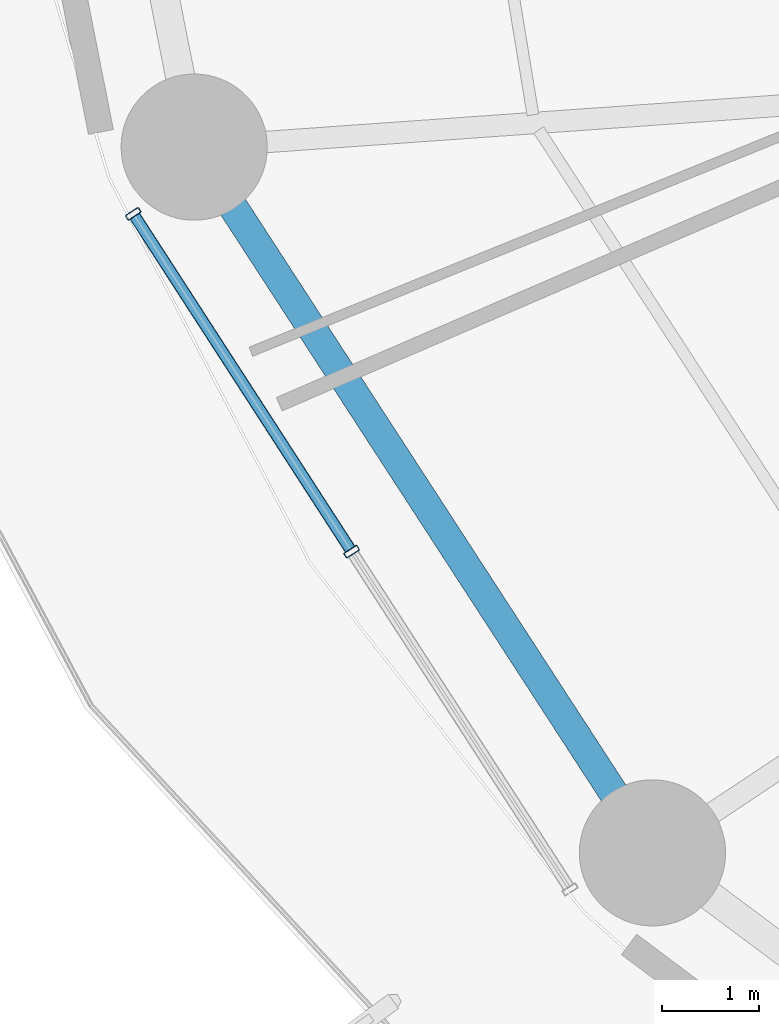
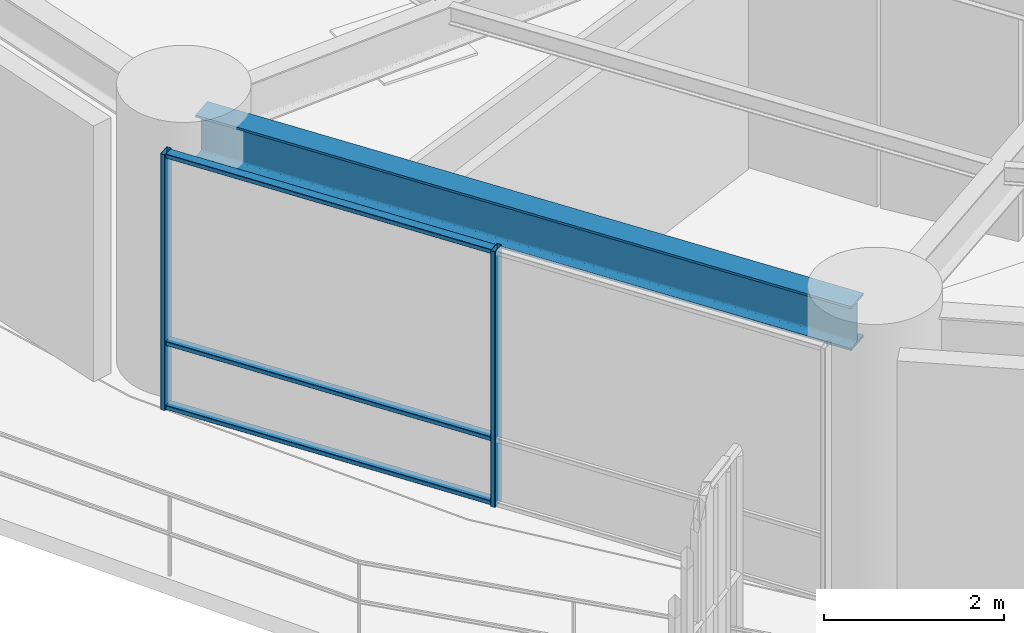
# One storey, part 2 of 35: 5 members, 1 beam, 1 element without a shape of its own.
"""IFC4 building model written with IfcOpenShell, lengths in metres."""

from ifc_helpers import new_model, si_unit, direction, frame, origin, origin_2d, place, context, subcontext, project, spatial, hollow_rectangle, i_section, extrude, material, layer, layer_set, material_profile, profile_set, type_object, element, aggregate, save


model = new_model("IFC4")

# Units and contexts
model_context = context("Model", 3, precision=1e-05, world=origin(), true_north=direction((0.0, 1.0)))
body_context = subcontext(model_context, "Body", "Model", "MODEL_VIEW")
ifc_project = project(units=[si_unit("LENGTHUNIT", "METRE"), si_unit("AREAUNIT", "SQUARE_METRE"), si_unit("VOLUMEUNIT", "CUBIC_METRE"), si_unit("PLANEANGLEUNIT", "RADIAN"), si_unit("MASSUNIT", "GRAM", prefix="KILO")], contexts=[model_context])

# Site, building, storey
site_placement = place(None, origin())
site = spatial("IfcSite", under=ifc_project, at=site_placement, CompositionType="ELEMENT")
building_placement = place(site_placement, origin())
building = spatial("IfcBuilding", under=site, at=building_placement, Name="Kelanora Arch Commons", CompositionType="ELEMENT")
storey_placement = place(building_placement, frame((0.0, 0.0, 22.5)))
storey = spatial("IfcBuildingStorey", under=building, at=storey_placement, Name="L05", CompositionType="ELEMENT", Elevation=22.5)

# Beam
ifc_material_1 = material(Name="Steel S355", Category="steel")
ifc_material_profile_1 = material_profile(ifc_material_1, i_section(OverallWidth=0.300048828125, OverallDepth=0.60009765625, WebThickness=0.015380859375, FlangeThickness=0.030029296875, FilletRadius=0.027099609375, at=origin_2d()), Name="HEB600")
ifc_profile_set_1 = profile_set([ifc_material_profile_1], Name="Steel S355")
beam_type = type_object("IfcBeamType", Name="BM-SPN-Z1", PredefinedType="SPANDREL", material=ifc_profile_set_1)
beam_placement = place(storey_placement, frame((48.6728515625, 49.57958984375, 3.18994140625), z_axis=(0.544580949539, -0.838708286235, 0.0), x_axis=(0.838708286235, 0.544580949539, 0.0)))
element("IfcBeam", 1, at=beam_placement, inside=storey, type_object=beam_type, Name="Perimeter Spandrel Beam BS-20 L05", PredefinedType="SPANDREL", context=body_context, shape_type="SweptSolid", body=[
    extrude(i_section(OverallWidth=0.300048828125, OverallDepth=0.60009765625, WebThickness=0.015380859375, FlangeThickness=0.030029296875, FilletRadius=0.027099609375, at=origin_2d()), origin(), (0.0, 0.0, 1.0), 8.195068359375),
])

# Curtain wall, members
ifc_material_2 = material(Name="Terracotta ceramic-fritted low-E glass and aluminium", Category="masonry")
ifc_layer = layer(ifc_material_2, 0.159912109375)
ifc_layer_set = layer_set([ifc_layer], Name="Terracotta ceramic-fritted low-E glass and aluminium")
curtain_wall_type = type_object("IfcCurtainWallType", Name="CW-SYS-01", PredefinedType="NOTDEFINED", material=ifc_layer_set)
curtain_wall_placement = place(storey_placement, origin())
curtain_wall = element("IfcCurtainWall", 2, at=curtain_wall_placement, inside=storey, type_object=curtain_wall_type, Name="Unitised Curtain Wall L05-B10", PredefinedType="NOTDEFINED")
ifc_material_3 = material(Name="Powder-coated aluminium terracotta", Category="masonry")
ifc_material_profile_2 = material_profile(ifc_material_3, hollow_rectangle(XDim=0.159912109375, YDim=0.06005859375, WallThickness=0.0048828125, InnerFilletRadius=0.0048828125, OuterFilletRadius=0.010009765625, at=origin_2d()), Name="CWM160x60")
ifc_profile_set_2 = profile_set([ifc_material_profile_2], Name="Powder-coated aluminium terracotta")
member_type_1 = type_object("IfcMemberType", Name="CWM-STD", PredefinedType="MULLION", material=ifc_profile_set_2)
member_1_placement = place(storey_placement, frame((47.927734375, 49.07958984375, 0.0), z_axis=(0.0, 0.0, 1.0), x_axis=(0.83972982332, 0.543004441812, 0.0)))
member_1 = element("IfcMember", 3, at=member_1_placement, type_object=member_type_1, Name="CW-01 mullion 1", PredefinedType="MULLION", context=body_context, shape_type="SweptSolid", body=[
    extrude(hollow_rectangle(XDim=0.159912109375, YDim=0.06005859375, WallThickness=0.0048828125, InnerFilletRadius=0.0048828125, OuterFilletRadius=0.010009765625, at=origin_2d()), origin(), (0.0, 0.0, 1.0), 3.47509765625),
])
member_2_placement = place(storey_placement, frame((50.169189453125, 45.61328125, 0.0), z_axis=(0.0, 0.0, 1.0), x_axis=(0.83972982332, 0.543004441812, 0.0)))
member_2 = element("IfcMember", 4, at=member_2_placement, type_object=member_type_1, Name="CW-01 mullion 2", PredefinedType="MULLION", context=body_context, shape_type="SweptSolid", body=[
    extrude(hollow_rectangle(XDim=0.159912109375, YDim=0.06005859375, WallThickness=0.0048828125, InnerFilletRadius=0.0048828125, OuterFilletRadius=0.010009765625, at=origin_2d()), origin(), (0.0, 0.0, 1.0), 3.47509765625),
])
ifc_material_profile_3 = material_profile(ifc_material_3, hollow_rectangle(XDim=0.1201171875, YDim=0.06005859375, WallThickness=0.0048828125, InnerFilletRadius=0.0048828125, OuterFilletRadius=0.010009765625, at=origin_2d()), Name="CWT120x60")
ifc_profile_set_3 = profile_set([ifc_material_profile_3], Name="Powder-coated aluminium terracotta")
member_type_2 = type_object("IfcMemberType", Name="CWT-STD", PredefinedType="USERDEFINED", material=ifc_profile_set_3)
member_3_placement = place(storey_placement, frame((47.944091796875, 49.054443359375, 0.030029296875), z_axis=(0.542997414293, -0.839734367566, 0.0), x_axis=(0.839734367566, 0.542997414293, 0.0)))
member_3 = element("IfcMember", 5, at=member_3_placement, type_object=member_type_2, Name="CW-01 transom 1.1", ObjectType="TRANSOM", PredefinedType="USERDEFINED", context=body_context, shape_type="SweptSolid", body=[
    extrude(hollow_rectangle(XDim=0.1201171875, YDim=0.06005859375, WallThickness=0.0048828125, InnerFilletRadius=0.0048828125, OuterFilletRadius=0.010009765625, at=origin_2d()), origin(), (0.0, 0.0, 1.0), 4.067626953125),
])
member_4_placement = place(storey_placement, frame((47.944091796875, 49.054443359375, 0.89990234375), z_axis=(0.542997414293, -0.839734367566, 0.0), x_axis=(0.839734367566, 0.542997414293, 0.0)))
member_4 = element("IfcMember", 6, at=member_4_placement, type_object=member_type_2, Name="CW-01 transom 1.2", ObjectType="TRANSOM", PredefinedType="USERDEFINED", context=body_context, shape_type="SweptSolid", body=[
    extrude(hollow_rectangle(XDim=0.1201171875, YDim=0.06005859375, WallThickness=0.0048828125, InnerFilletRadius=0.0048828125, OuterFilletRadius=0.010009765625, at=origin_2d()), origin(), (0.0, 0.0, 1.0), 4.067626953125),
])
member_5_placement = place(storey_placement, frame((47.944091796875, 49.054443359375, 3.445068359375), z_axis=(0.542997414293, -0.839734367566, 0.0), x_axis=(0.839734367566, 0.542997414293, 0.0)))
member_5 = element("IfcMember", 7, at=member_5_placement, type_object=member_type_2, Name="CW-01 transom 1.3", ObjectType="TRANSOM", PredefinedType="USERDEFINED", context=body_context, shape_type="SweptSolid", body=[
    extrude(hollow_rectangle(XDim=0.1201171875, YDim=0.06005859375, WallThickness=0.0048828125, InnerFilletRadius=0.0048828125, OuterFilletRadius=0.010009765625, at=origin_2d()), origin(), (0.0, 0.0, 1.0), 4.067626953125),
])
aggregate(curtain_wall, [member_1, member_2, member_3, member_4, member_5])

save(model, "model.ifc")
